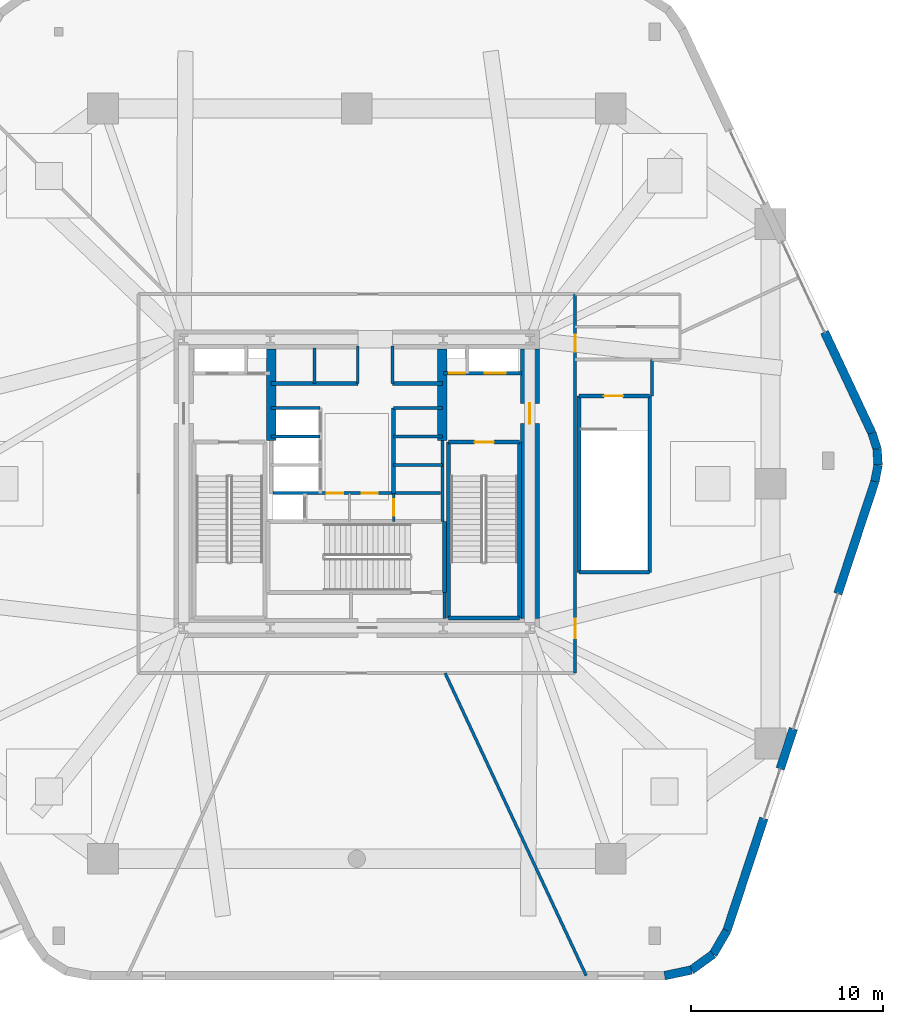
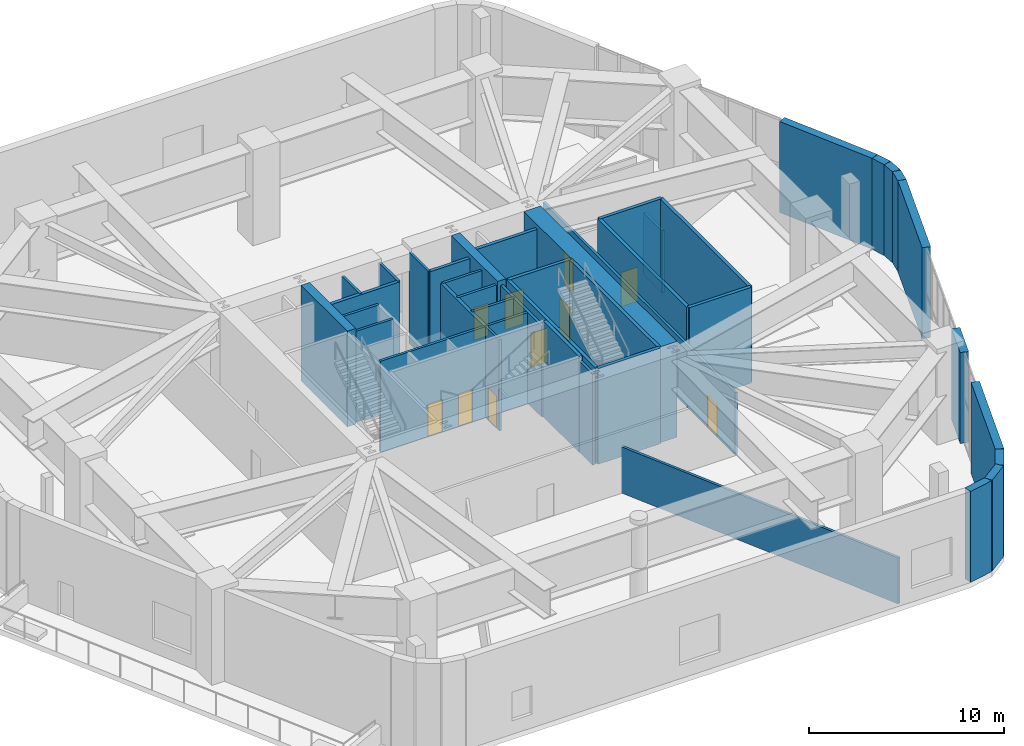
# One storey, part 9 of 14: 41 walls, 10 doors, 10 openings.
"""IFC4 building model written with IfcOpenShell, lengths in metres."""

from ifc_helpers import new_model, si_unit, direction, frame, frame_2d, origin, place, context, subcontext, project, spatial, rectangle, extrude, material, layer, layer_set, type_object, element, fill, save


model = new_model("IFC4")

# Units and contexts
model_context = context("Model", 3, precision=1e-05, world=origin(), true_north=direction((0.0, 1.0)))
body_context = subcontext(model_context, "Body", "Model", "MODEL_VIEW")
ifc_project = project(units=[si_unit("LENGTHUNIT", "METRE"), si_unit("AREAUNIT", "SQUARE_METRE"), si_unit("VOLUMEUNIT", "CUBIC_METRE"), si_unit("PLANEANGLEUNIT", "RADIAN"), si_unit("MASSUNIT", "GRAM", prefix="KILO")], contexts=[model_context])

# Site, building, storey
site_placement = place(None, origin())
site = spatial("IfcSite", under=ifc_project, at=site_placement, CompositionType="ELEMENT")
building_placement = place(site_placement, origin())
building = spatial("IfcBuilding", under=site, at=building_placement, Name="Kilnhurst Terrace Hotel", CompositionType="ELEMENT")
storey_placement = place(building_placement, frame((0.0, 0.0, 28.199951171875)))
storey = spatial("IfcBuildingStorey", under=building, at=storey_placement, Name="L05", CompositionType="ELEMENT", Elevation=28.199951171875)

# Walls
ifc_material_1 = material(Name="Precast concrete C40/50", Category="concrete")
ifc_layer_1 = layer(ifc_material_1, 0.449951171875, Name="Precast concrete C40/50")
ifc_layer_set_1 = layer_set([ifc_layer_1], Name="Precast concrete C40/50")
wall_type_1 = type_object("IfcWallType", Name="WL-BRK-450", PredefinedType="SOLIDWALL", material=ifc_layer_set_1)
wall_1_placement = place(storey_placement, frame((16.002197265625, -25.574951171875, 0.0), z_axis=(0.0, 0.0, 1.0), x_axis=(0.978297489829, 0.207205263915, 0.0)))
element("IfcWall", 1, at=wall_1_placement, inside=storey, type_object=wall_type_1, Name="L05 Rounded Corner Brick Wall C2.1", PredefinedType="SOLIDWALL", context=body_context, shape_type="SweptSolid", body=[
    extrude(rectangle(XDim=1.4208984375, YDim=0.449951171875, at=frame_2d((0.71044921875, 0.0))), origin(), (0.0, 0.0, 1.0), 5.699951171875),
])
wall_2_placement = place(storey_placement, frame((17.392333984375, -25.280517578125, 0.0), z_axis=(0.0, 0.0, 1.0), x_axis=(0.810222644551, 0.586122228086, 0.0)))
element("IfcWall", 2, at=wall_2_placement, inside=storey, type_object=wall_type_1, Name="L05 Rounded Corner Brick Wall C2.2", PredefinedType="SOLIDWALL", context=body_context, shape_type="SweptSolid", body=[
    extrude(rectangle(XDim=1.396728515625, YDim=0.449951171875, at=frame_2d((0.6982421875, 0.0))), origin(), (0.0, 0.0, 1.0), 5.699951171875),
])
wall_3_placement = place(storey_placement, frame((18.52392578125, -24.4619140625, 0.0), z_axis=(0.0, 0.0, 1.0), x_axis=(0.503080278093, 0.864239685385, 0.0)))
element("IfcWall", 3, at=wall_3_placement, inside=storey, type_object=wall_type_1, Name="L05 Rounded Corner Brick Wall C2.3", PredefinedType="SOLIDWALL", context=body_context, shape_type="SweptSolid", body=[
    extrude(rectangle(XDim=1.4208984375, YDim=0.449951171875, at=frame_2d((0.71044921875, 0.0))), origin(), (0.0, 0.0, 1.0), 5.699951171875),
])
wall_4_placement = place(storey_placement, frame((26.93359375, 0.115234375, 0.0), z_axis=(0.0, 0.0, 1.0), x_axis=(0.190786440539, 0.981631567395, 0.0)))
element("IfcWall", 4, at=wall_4_placement, inside=storey, type_object=wall_type_1, Name="L05 Rounded Corner Brick Wall C3.1", PredefinedType="SOLIDWALL", context=body_context, shape_type="SweptSolid", body=[
    extrude(rectangle(XDim=0.86376953125, YDim=0.449951171875, at=frame_2d((0.431884765625, 0.0))), origin(), (0.0, 0.0, 1.0), 5.699951171875),
])
wall_5_placement = place(storey_placement, frame((27.098388671875, 0.963134765625, 0.0), z_axis=(0.0, 0.0, 1.0), x_axis=(-0.060356219213, 0.998176901557, 0.0)))
element("IfcWall", 5, at=wall_5_placement, inside=storey, type_object=wall_type_1, Name="L05 Rounded Corner Brick Wall C3.2", PredefinedType="SOLIDWALL", context=body_context, shape_type="SweptSolid", body=[
    extrude(rectangle(XDim=0.849365234375, YDim=0.449951171875, at=frame_2d((0.4248046875, 0.0))), origin(), (0.0, 0.0, 1.0), 5.699951171875),
])
wall_6_placement = place(storey_placement, frame((27.047119140625, 1.81103515625, 0.0), z_axis=(0.0, 0.0, 1.0), x_axis=(-0.307993314005, 0.951388521335, 0.0)))
element("IfcWall", 6, at=wall_6_placement, inside=storey, type_object=wall_type_1, Name="L05 Rounded Corner Brick Wall C3.3", PredefinedType="SOLIDWALL", context=body_context, shape_type="SweptSolid", body=[
    extrude(rectangle(XDim=0.864013671875, YDim=0.449951171875, at=frame_2d((0.43212890625, 0.0))), origin(), (0.0, 0.0, 1.0), 5.699951171875),
])
wall_7_placement = place(storey_placement, frame((19.23876953125, -23.23388671875, 0.0), z_axis=(0.0, 0.0, 1.0), x_axis=(0.312984451481, 0.949758249836, 0.0)))
element("IfcWall", 7, at=wall_7_placement, inside=storey, type_object=wall_type_1, Name="L05 Face 2 Brick Pier 1", PredefinedType="SOLIDWALL", context=body_context, shape_type="SweptSolid", body=[
    extrude(rectangle(XDim=6.14599609375, YDim=0.449951171875, at=frame_2d((3.072998046875, 0.0))), origin(), (0.0, 0.0, 1.0), 5.699951171875),
])
wall_8_placement = place(storey_placement, frame((22.009765625, -14.82568359375, 0.0), z_axis=(0.0, 0.0, 1.0), x_axis=(0.312963089043, 0.949765289372, 0.0)))
element("IfcWall", 8, at=wall_8_placement, inside=storey, type_object=wall_type_1, Name="L05 Face 2 Brick Pier 2", PredefinedType="SOLIDWALL", context=body_context, shape_type="SweptSolid", body=[
    extrude(rectangle(XDim=2.199951171875, YDim=0.449951171875, at=frame_2d((1.10009765625, 0.0))), origin(), (0.0, 0.0, 1.0), 5.699951171875),
])
wall_9_placement = place(storey_placement, frame((25.009765625, -5.722412109375, 0.0), z_axis=(0.0, 0.0, 1.0), x_axis=(0.312996666333, 0.949754224452, 0.0)))
element("IfcWall", 9, at=wall_9_placement, inside=storey, type_object=wall_type_1, Name="L05 Face 2 End Brick Pier", PredefinedType="SOLIDWALL", context=body_context, shape_type="SweptSolid", body=[
    extrude(rectangle(XDim=6.146484375, YDim=0.449951171875, at=frame_2d((3.0732421875, 0.0))), origin(), (0.0, 0.0, 1.0), 5.699951171875),
])
wall_10_placement = place(storey_placement, frame((26.781005859375, 2.633056640625, 0.0), z_axis=(0.0, 0.0, 1.0), x_axis=(-0.425192418488, 0.905102981578, 0.0)))
element("IfcWall", 10, at=wall_10_placement, inside=storey, type_object=wall_type_1, Name="L05 Face 3 Brick Pier 1", PredefinedType="SOLIDWALL", context=body_context, shape_type="SweptSolid", body=[
    extrude(rectangle(XDim=5.7958984375, YDim=0.449951171875, at=frame_2d((2.89794921875, 0.0))), origin(), (0.0, 0.0, 1.0), 5.699951171875),
])

# Wall, openings, doors
ifc_material_2 = material(Name="Acoustic Double-Gypsum Corridor Partition Assembly")
ifc_layer_2 = layer(ifc_material_2, 0.14990234375, Name="Acoustic Double-Gypsum Corridor Partition Assembly")
ifc_layer_set_2 = layer_set([ifc_layer_2], Name="Acoustic Double-Gypsum Corridor Partition Assembly")
wall_type_2 = type_object("IfcWallType", Name="WL-COR-150", PredefinedType="PARTITIONING", material=ifc_layer_set_2)
wall_11_placement = place(storey_placement, frame((11.35009765625, 9.85009765625, 0.0), z_axis=(0.0, 0.0, 1.0), x_axis=(0.0, -1.0, 0.0)))
wall_11 = element("IfcWall", 11, at=wall_11_placement, inside=storey, type_object=wall_type_2, Name="L05 Interior Wall WL-L05-COR-03", PredefinedType="PARTITIONING", context=body_context, shape_type="SweptSolid", body=[
    extrude(rectangle(XDim=19.7001953125, YDim=0.14990234375, at=frame_2d((9.85009765625, 0.0))), origin(), (0.0, 0.0, 1.0), 3.89013671875),
])
opening_1_placement = place(wall_11_placement, frame((2.10009765625, 0.0, 0.0)))
opening_1 = element("IfcOpeningElement", 12, at=opening_1_placement, cuts=wall_11, Name="Opening D-09B", PredefinedType="OPENING", context=body_context, shape_type="SweptSolid", body=[
    extrude(rectangle(XDim=0.89990234375, YDim=2.030029296875, at=frame_2d((0.449951171875, 1.01513671875))), frame((0.0, 0.0849609375, 0.0), z_axis=(0.0, -1.0, 0.0), x_axis=(1.0, 0.0, 0.0)), (0.0, 0.0, 1.0), 0.169921875),
])
opening_2_placement = place(wall_11_placement, frame((16.875, 0.0, 0.0)))
opening_2 = element("IfcOpeningElement", 13, at=opening_2_placement, cuts=wall_11, Name="Opening D-10A", PredefinedType="OPENING", context=body_context, shape_type="SweptSolid", body=[
    extrude(rectangle(XDim=1.0, YDim=2.030029296875, at=frame_2d((0.5, 1.01513671875))), frame((0.0, 0.0849609375, 0.0), z_axis=(0.0, -1.0, 0.0), x_axis=(1.0, 0.0, 0.0)), (0.0, 0.0, 1.0), 0.169921875),
])
ifc_material_3 = material(Name="Solid-Core American White Oak Interior Door")
door_type_1 = type_object("IfcDoorType", Name="DR-INT-1000", OperationType="NOTDEFINED", PredefinedType="DOOR", material=ifc_material_3)
door_1_placement = place(opening_2_placement, origin())
door_1 = element("IfcDoor", 14, at=door_1_placement, inside=storey, type_object=door_type_1, Name="L05 Botanical Conservatory Reading Library Door", OperationType="SINGLE_SWING_RIGHT", OverallHeight=2.030029296875, OverallWidth=1.0, PredefinedType="DOOR", context=body_context, shape_type="SweptSolid", body=[
    extrude(rectangle(XDim=1.0, YDim=2.030029296875, at=frame_2d((0.5, 1.01513671875))), frame((0.0, 0.02490234375, 0.0), z_axis=(0.0, -1.0, 0.0), x_axis=(1.0, 0.0, 0.0)), (0.0, 0.0, 1.0), 0.050048828125),
])
fill(opening_2, door_1)
ifc_material_4 = material(Name="Moisture-Resistant Solid-Core Restroom Door")
door_type_2 = type_object("IfcDoorType", Name="DR-INT-900", OperationType="NOTDEFINED", PredefinedType="DOOR", material=ifc_material_4)
door_2_placement = place(opening_1_placement, origin())
door_2 = element("IfcDoor", 15, at=door_2_placement, inside=storey, type_object=door_type_2, Name="L05 Public Restrooms Door", OperationType="SINGLE_SWING_LEFT", OverallHeight=2.030029296875, OverallWidth=0.89990234375, PredefinedType="DOOR", context=body_context, shape_type="SweptSolid", body=[
    extrude(rectangle(XDim=0.89990234375, YDim=2.030029296875, at=frame_2d((0.449951171875, 1.01513671875))), frame((0.0, 0.02490234375, 0.0), z_axis=(0.0, -1.0, 0.0), x_axis=(1.0, 0.0, 0.0)), (0.0, 0.0, 1.0), 0.050048828125),
])
fill(opening_1, door_2)

# Wall
wall_12_placement = place(storey_placement, frame((15.35009765625, 4.55810546875, 0.0), z_axis=(0.0, 0.0, 1.0), x_axis=(0.0, 1.0, 0.0)))
element("IfcWall", 16, at=wall_12_placement, inside=storey, type_object=wall_type_2, Name="L05 Interior Wall WL-L05-ST4-VEST-E", PredefinedType="PARTITIONING", context=body_context, shape_type="SweptSolid", body=[
    extrude(rectangle(XDim=1.891845703125, YDim=0.14990234375, at=frame_2d((0.94580078125, 0.0))), origin(), (0.0, 0.0, 1.0), 3.89013671875),
])

# Wall, opening, door
ifc_material_5 = material(Name="Concrete C80/95", Category="concrete")
ifc_layer_3 = layer(ifc_material_5, 1.0, Name="Concrete C80/95")
ifc_layer_set_3 = layer_set([ifc_layer_3], Name="Concrete C80/95")
wall_type_3 = type_object("IfcWallType", Name="WL-CORE-1000", PredefinedType="SHEAR", material=ifc_layer_set_3)
wall_13_placement = place(storey_placement, frame((9.0, -7.0, 0.0), z_axis=(0.0, 0.0, 1.0), x_axis=(0.0, 1.0, 0.0)))
wall_13 = element("IfcWall", 17, at=wall_13_placement, inside=storey, type_object=wall_type_3, Name="L05 Core East Shear Wall", PredefinedType="SHEAR", context=body_context, shape_type="SweptSolid", body=[
    extrude(rectangle(XDim=14.0, YDim=1.0, at=frame_2d((7.0, 0.0))), origin(), (0.0, 0.0, 1.0), 6.0),
])
opening_3_placement = place(wall_13_placement, frame((10.125, 0.0, 0.0)))
opening_3 = element("IfcOpeningElement", 18, at=opening_3_placement, cuts=wall_13, Name="Opening D-90A", PredefinedType="OPENING", context=body_context, shape_type="SweptSolid", body=[
    extrude(rectangle(XDim=1.050048828125, YDim=2.14990234375, at=frame_2d((0.52490234375, 1.074951171875))), frame((0.0, 0.510009765625, 0.0), z_axis=(0.0, -1.0, 0.0), x_axis=(1.0, 0.0, 0.0)), (0.0, 0.0, 1.0), 1.02001953125),
])
ifc_material_6 = material(Name="Painted Hollow Metal Steel ASTM A36 Fire Door", Category="steel")
door_type_3 = type_object("IfcDoorType", Name="DR-FD90-1050", OperationType="NOTDEFINED", PredefinedType="DOOR", material=ifc_material_6)
door_3_placement = place(opening_3_placement, origin())
door_3 = element("IfcDoor", 19, at=door_3_placement, inside=storey, type_object=door_type_3, Name="L05 East Firefighting Lobby Door", OperationType="SINGLE_SWING_LEFT", OverallHeight=2.14990234375, OverallWidth=1.050048828125, PredefinedType="DOOR", context=body_context, shape_type="SweptSolid", body=[
    extrude(rectangle(XDim=1.050048828125, YDim=2.14990234375, at=frame_2d((0.52490234375, 1.074951171875))), frame((0.0, 0.02490234375, 0.0), z_axis=(0.0, -1.0, 0.0), x_axis=(1.0, 0.0, 0.0)), (0.0, 0.0, 1.0), 0.050048828125),
])
fill(opening_3, door_3)

# Walls
ifc_material_7 = material(Name="Concrete C60/75", Category="concrete")
ifc_layer_4 = layer(ifc_material_7, 0.5, Name="Concrete C60/75")
ifc_layer_set_4 = layer_set([ifc_layer_4], Name="Concrete C60/75")
wall_type_4 = type_object("IfcWallType", Name="WL-CORE-WEB-500", PredefinedType="SHEAR", material=ifc_layer_set_4)
for number, where, z_axis, x_axis, name in (
    (20, (-4.449951171875, 2.25, 0.0), (0.0, 0.0, 1.0), (0.0, 1.0, 0.0), "L05 Core Internal West Shear Web"),
    (21, (4.449951171875, 2.25, 0.0), (0.0, 0.0, 1.0), (0.0, 1.0, 0.0), "L05 Core Internal East Shear Web"),
):
    element("IfcWall", number, at=place(storey_placement, frame(where, z_axis=z_axis, x_axis=x_axis)), inside=storey, type_object=wall_type_4, Name=name, PredefinedType="SHEAR", context=body_context, shape_type="SweptSolid", body=[
        extrude(rectangle(XDim=4.75, YDim=0.5, at=frame_2d((2.375, 0.0))), origin(), (0.0, 0.0, 1.0), 6.0),
    ])

# Wall, opening, door
ifc_material_8 = material(Name="120 mm Moisture-Resistant Tile-Backed Bathroom Partition")
ifc_layer_5 = layer(ifc_material_8, 0.1201171875, Name="120 mm Moisture-Resistant Tile-Backed Bathroom Partition")
ifc_layer_set_5 = layer_set([ifc_layer_5], Name="120 mm Moisture-Resistant Tile-Backed Bathroom Partition")
wall_type_5 = type_object("IfcWallType", Name="WL-PART-120", PredefinedType="PARTITIONING", material=ifc_layer_set_5)
wall_14_placement = place(storey_placement, frame((1.919921875, -1.971923828125, 0.0), z_axis=(0.0, 0.0, 1.0), x_axis=(0.0, 1.0, 0.0)))
wall_14 = element("IfcWall", 22, at=wall_14_placement, inside=storey, type_object=wall_type_5, Name="L05 Interior Wall WL-L05-BOH-C2", PredefinedType="PARTITIONING", context=body_context, shape_type="SweptSolid", body=[
    extrude(rectangle(XDim=1.471923828125, YDim=0.1201171875, at=frame_2d((0.73583984375, 0.0))), origin(), (0.0, 0.0, 1.0), 5.699951171875),
])
opening_4_placement = place(wall_14_placement, frame((0.300048828125, 0.0, 0.0)))
opening_4 = element("IfcOpeningElement", 23, at=opening_4_placement, cuts=wall_14, Name="Opening D-08A", PredefinedType="OPENING", context=body_context, shape_type="SweptSolid", body=[
    extrude(rectangle(XDim=0.85009765625, YDim=2.030029296875, at=frame_2d((0.425048828125, 1.01513671875))), frame((0.0, 0.070068359375, 0.0), z_axis=(0.0, -1.0, 0.0), x_axis=(1.0, 0.0, 0.0)), (0.0, 0.0, 1.0), 0.14013671875),
])
ifc_material_9 = material(Name="Moisture-Resistant Lacquered En-suite Bathroom Door")
door_type_4 = type_object("IfcDoorType", Name="DR-INT-850", OperationType="NOTDEFINED", PredefinedType="DOOR", material=ifc_material_9)
door_4_placement = place(opening_4_placement, origin())
door_4 = element("IfcDoor", 24, at=door_4_placement, inside=storey, type_object=door_type_4, Name="L05 Staff Restroom Door", OperationType="SINGLE_SWING_RIGHT", OverallHeight=2.030029296875, OverallWidth=0.85009765625, PredefinedType="DOOR", context=body_context, shape_type="SweptSolid", body=[
    extrude(rectangle(XDim=0.85009765625, YDim=2.030029296875, at=frame_2d((0.425048828125, 1.01513671875))), frame((0.0, 0.02490234375, 0.0), z_axis=(0.0, -1.0, 0.0), x_axis=(1.0, 0.0, 0.0)), (0.0, 0.0, 1.0), 0.050048828125),
])
fill(opening_4, door_4)

# Walls
ifc_material_10 = material(Name="150 mm Acoustic Gypsum Hospitality Partition")
ifc_layer_6 = layer(ifc_material_10, 0.14990234375, Name="150 mm Acoustic Gypsum Hospitality Partition")
ifc_layer_set_6 = layer_set([ifc_layer_6], Name="150 mm Acoustic Gypsum Hospitality Partition")
wall_type_6 = type_object("IfcWallType", Name="WL-PART-150", PredefinedType="PARTITIONING", material=ifc_layer_set_6)
wall_15_placement = place(storey_placement, frame((4.593017578125, -9.85009765625, 0.0), z_axis=(0.0, 0.0, 1.0), x_axis=(0.422625081422, -0.906304606936, 0.0)))
element("IfcWall", 25, at=wall_15_placement, inside=storey, type_object=wall_type_6, Name="L05 Interior Wall WL-L05-PDIV-2-1", PredefinedType="PARTITIONING", context=body_context, shape_type="SweptSolid", body=[
    extrude(rectangle(XDim=17.3505859375, YDim=0.14990234375, at=frame_2d((8.67529296875, 0.0))), origin(), (0.0, 0.0, 1.0), 2.89013671875),
])
ifc_material_11 = material(Name="Fire-Rated Gypsum Shaftliner Assembly")
ifc_layer_7 = layer(ifc_material_11, 0.14990234375, Name="Fire-Rated Gypsum Shaftliner Assembly")
ifc_layer_set_7 = layer_set([ifc_layer_7], Name="Fire-Rated Gypsum Shaftliner Assembly")
wall_type_7 = type_object("IfcWallType", Name="WL-SHAFT-150", PredefinedType="PARTITIONING", material=ifc_layer_set_7)
wall_16_placement = place(storey_placement, frame((4.55810546875, -7.02001953125, 0.0), z_axis=(0.0, 0.0, 1.0), x_axis=(0.0, 1.0, 0.0)))
element("IfcWall", 26, at=wall_16_placement, inside=storey, type_object=wall_type_7, Name="L05 Interior Wall WL-L05-ST3-PSGE", PredefinedType="PARTITIONING", context=body_context, shape_type="SweptSolid", body=[
    extrude(rectangle(XDim=1.362060546875, YDim=0.14990234375, at=frame_2d((0.68115234375, 0.0))), origin(), (0.0, 0.0, 1.0), 5.699951171875),
])
wall_17_placement = place(storey_placement, frame((-2.199951171875, 5.199951171875, 0.0), z_axis=(0.0, 0.0, 1.0), x_axis=(0.0, 1.0, 0.0)))
element("IfcWall", 27, at=wall_17_placement, inside=storey, type_object=wall_type_7, Name="L05 Interior Wall WL-L05-HR-DIV1", PredefinedType="PARTITIONING", context=body_context, shape_type="SweptSolid", body=[
    extrude(rectangle(XDim=1.85009765625, YDim=0.14990234375, at=frame_2d((0.925048828125, 0.0))), origin(), (0.0, 0.0, 1.0), 5.699951171875),
])
for number, where, z_axis, x_axis, name in (
    (28, (0.050048828125, 5.199951171875, 0.0), (0.0, 0.0, 1.0), (0.0, 1.0, 0.0), "L05 Interior Wall WL-L05-HR-PORTAL-W"),
    (29, (1.85009765625, 5.199951171875, 0.0), (0.0, 0.0, 1.0), (0.0, 1.0, 0.0), "L05 Interior Wall WL-L05-HR-PORTAL-E"),
):
    element("IfcWall", number, at=place(storey_placement, frame(where, z_axis=z_axis, x_axis=x_axis)), inside=storey, type_object=wall_type_7, Name=name, PredefinedType="PARTITIONING", context=body_context, shape_type="SweptSolid", body=[
        extrude(rectangle(XDim=1.949951171875, YDim=0.14990234375, at=frame_2d((0.97509765625, 0.0))), origin(), (0.0, 0.0, 1.0), 5.699951171875),
    ])
wall_18_placement = place(storey_placement, frame((4.449951171875, -1.971923828125, 0.0), z_axis=(0.0, 0.0, 1.0), x_axis=(0.0, 1.0, 0.0)))
element("IfcWall", 30, at=wall_18_placement, inside=storey, type_object=wall_type_7, Name="L05 Interior Wall WL-L05-XLOB-E", PredefinedType="PARTITIONING", context=body_context, shape_type="SweptSolid", body=[
    extrude(rectangle(XDim=4.221923828125, YDim=0.14990234375, at=frame_2d((2.11083984375, 0.0))), origin(), (0.0, 0.0, 1.0), 5.699951171875),
])
for number, where, z_axis, x_axis, name in (
    (31, (-4.449951171875, 3.93994140625, 0.0), (0.0, 0.0, 1.0), (1.0, 0.0, 0.0), "L05 Interior Wall WL-L05-LR-NORTH"),
    (32, (-4.449951171875, 2.4599609375, 0.0), (0.0, 0.0, 1.0), (1.0, 0.0, 0.0), "L05 Interior Wall WL-L05-LR-D2"),
    (33, (1.89990234375, 3.93994140625, 0.0), (0.0, 0.0, 1.0), (1.0, 0.0, 0.0), "L05 Interior Wall WL-L05-MR-NORTH"),
    (34, (1.89990234375, 0.97998046875, 0.0), (0.0, 0.0, 1.0), (1.0, 0.0, 0.0), "L05 Interior Wall WL-L05-MR-D1"),
    (35, (1.89990234375, 2.4599609375, 0.0), (0.0, 0.0, 1.0), (1.0, 0.0, 0.0), "L05 Interior Wall WL-L05-MR-D2"),
):
    element("IfcWall", number, at=place(storey_placement, frame(where, z_axis=z_axis, x_axis=x_axis)), inside=storey, type_object=wall_type_7, Name=name, PredefinedType="PARTITIONING", context=body_context, shape_type="SweptSolid", body=[
        extrude(rectangle(XDim=2.550048828125, YDim=0.14990234375, at=frame_2d((1.27490234375, 0.0))), origin(), (0.0, 0.0, 1.0), 5.699951171875),
    ])

# Wall, openings, doors
wall_19_placement = place(storey_placement, frame((-4.360107421875, -0.489990234375, 0.0), z_axis=(0.0, 0.0, 1.0), x_axis=(1.0, 0.0, 0.0)))
wall_19 = element("IfcWall", 36, at=wall_19_placement, inside=storey, type_object=wall_type_7, Name="L05 Interior Wall WL-L05-BOH-N", PredefinedType="PARTITIONING", context=body_context, shape_type="SweptSolid", body=[
    extrude(rectangle(XDim=8.72021484375, YDim=0.14990234375, at=frame_2d((4.360107421875, 0.0))), origin(), (0.0, 0.0, 1.0), 5.699951171875),
])
opening_5_placement = place(wall_19_placement, frame((2.81005859375, 0.0, 0.0)))
opening_5 = element("IfcOpeningElement", 37, at=opening_5_placement, cuts=wall_19, Name="Opening D-60D", PredefinedType="OPENING", context=body_context, shape_type="SweptSolid", body=[
    extrude(rectangle(XDim=0.85009765625, YDim=2.030029296875, at=frame_2d((0.425048828125, 1.01513671875))), frame((0.0, 0.0849609375, 0.0), z_axis=(0.0, -1.0, 0.0), x_axis=(1.0, 0.0, 0.0)), (0.0, 0.0, 1.0), 0.169921875),
])
opening_6_placement = place(wall_19_placement, frame((4.610107421875, 0.0, 0.0)))
opening_6 = element("IfcOpeningElement", 38, at=opening_6_placement, cuts=wall_19, Name="Opening D-60D", PredefinedType="OPENING", context=body_context, shape_type="SweptSolid", body=[
    extrude(rectangle(XDim=0.85009765625, YDim=2.030029296875, at=frame_2d((0.425048828125, 1.01513671875))), frame((0.0, 0.0849609375, 0.0), z_axis=(0.0, -1.0, 0.0), x_axis=(1.0, 0.0, 0.0)), (0.0, 0.0, 1.0), 0.169921875),
])
ifc_material_12 = material(Name="Painted Hollow Metal Steel ASTM A36 Riser Door", Category="steel")
door_type_5 = type_object("IfcDoorType", Name="DR-FD60-850", OperationType="NOTDEFINED", PredefinedType="DOOR", material=ifc_material_12)
door_5_placement = place(opening_5_placement, origin())
door_5 = element("IfcDoor", 39, at=door_5_placement, inside=storey, type_object=door_type_5, Name="L05 Housekeeping Station Door", OperationType="SINGLE_SWING_LEFT", OverallHeight=2.030029296875, OverallWidth=0.85009765625, PredefinedType="DOOR", context=body_context, shape_type="SweptSolid", body=[
    extrude(rectangle(XDim=0.85009765625, YDim=2.030029296875, at=frame_2d((0.425048828125, 1.01513671875))), frame((0.0, 0.02490234375, 0.0), z_axis=(0.0, -1.0, 0.0), x_axis=(1.0, 0.0, 0.0)), (0.0, 0.0, 1.0), 0.050048828125),
])
fill(opening_5, door_5)
door_6_placement = place(opening_6_placement, origin())
door_6 = element("IfcDoor", 40, at=door_6_placement, inside=storey, type_object=door_type_5, Name="L05 Beverage Pantry Door", OperationType="SINGLE_SWING_RIGHT", OverallHeight=2.030029296875, OverallWidth=0.85009765625, PredefinedType="DOOR", context=body_context, shape_type="SweptSolid", body=[
    extrude(rectangle(XDim=0.85009765625, YDim=2.030029296875, at=frame_2d((0.425048828125, 1.01513671875))), frame((0.0, 0.02490234375, 0.0), z_axis=(0.0, -1.0, 0.0), x_axis=(1.0, 0.0, 0.0)), (0.0, 0.0, 1.0), 0.050048828125),
])
fill(opening_6, door_6)

ifc_material_13 = material(Name="Autoclaved Aerated Concrete C30/37 and Gypsum Shaft Assembly", Category="concrete")
ifc_layer_8 = layer(ifc_material_13, 0.199951171875, Name="Autoclaved Aerated Concrete C30/37 and Gypsum Shaft Assembly")
ifc_layer_set_8 = layer_set([ifc_layer_8], Name="Autoclaved Aerated Concrete C30/37 and Gypsum Shaft Assembly")
wall_type_8 = type_object("IfcWallType", Name="WL-SHAFT-200", PredefinedType="PARTITIONING", material=ifc_layer_set_8)
wall_20_placement = place(storey_placement, frame((4.5, 5.739990234375, 0.0), z_axis=(0.0, 0.0, 1.0), x_axis=(1.0, 0.0, 0.0)))
wall_20 = element("IfcWall", 41, at=wall_20_placement, inside=storey, type_object=wall_type_8, Name="L05 Interior Wall WL-L05-FSAE2-S", PredefinedType="PARTITIONING", context=body_context, shape_type="SweptSolid", body=[
    extrude(rectangle(XDim=4.050048828125, YDim=0.199951171875, at=frame_2d((2.02490234375, 0.0))), origin(), (0.0, 0.0, 1.0), 5.699951171875),
])
opening_7_placement = place(wall_20_placement, frame((0.300048828125, 0.0, 0.0)))
opening_7 = element("IfcOpeningElement", 42, at=opening_7_placement, cuts=wall_20, Name="Opening D-60D", PredefinedType="OPENING", context=body_context, shape_type="SweptSolid", body=[
    extrude(rectangle(XDim=0.85009765625, YDim=2.030029296875, at=frame_2d((0.425048828125, 1.01513671875))), frame((0.0, 0.10986328125, 0.0), z_axis=(0.0, -1.0, 0.0), x_axis=(1.0, 0.0, 0.0)), (0.0, 0.0, 1.0), 0.219970703125),
])
opening_8_placement = place(wall_20_placement, frame((2.14990234375, 0.0, 0.0)))
opening_8 = element("IfcOpeningElement", 43, at=opening_8_placement, cuts=wall_20, Name="Opening LD-F2", PredefinedType="OPENING", context=body_context, shape_type="SweptSolid", body=[
    extrude(rectangle(XDim=1.10009765625, YDim=2.199951171875, at=frame_2d((0.550048828125, 1.10009765625))), frame((0.0, 0.10986328125, 0.0), z_axis=(0.0, -1.0, 0.0), x_axis=(1.0, 0.0, 0.0)), (0.0, 0.0, 1.0), 0.219970703125),
])
door_7_placement = place(opening_7_placement, origin())
door_7 = element("IfcDoor", 44, at=door_7_placement, inside=storey, type_object=door_type_5, Name="L05 Telecom Riser Door", OperationType="SINGLE_SWING_RIGHT", OverallHeight=2.030029296875, OverallWidth=0.85009765625, PredefinedType="DOOR", context=body_context, shape_type="SweptSolid", body=[
    extrude(rectangle(XDim=0.85009765625, YDim=2.030029296875, at=frame_2d((0.425048828125, 1.01513671875))), frame((0.0, 0.02490234375, 0.0), z_axis=(0.0, -1.0, 0.0), x_axis=(1.0, 0.0, 0.0)), (0.0, 0.0, 1.0), 0.050048828125),
])
fill(opening_7, door_7)
ifc_material_14 = material(Name="Bronze-Anodized Stainless Steel AISI 316L Sliding Door", Category="steel")
door_type_6 = type_object("IfcDoorType", Name="DR-LIFT-1100", OperationType="NOTDEFINED", PredefinedType="DOOR", material=ifc_material_14)
door_8_placement = place(opening_8_placement, origin())
door_8 = element("IfcDoor", 45, at=door_8_placement, inside=storey, type_object=door_type_6, Name="L05 FSAE-2 Landing Door", OperationType="SLIDING_TO_RIGHT", OverallHeight=2.199951171875, OverallWidth=1.10009765625, PredefinedType="DOOR", context=body_context, shape_type="SweptSolid", body=[
    extrude(rectangle(XDim=1.10009765625, YDim=2.199951171875, at=frame_2d((0.550048828125, 1.10009765625))), frame((0.0, 0.02490234375, 0.0), z_axis=(0.0, -1.0, 0.0), x_axis=(1.0, 0.0, 0.0)), (0.0, 0.0, 1.0), 0.050048828125),
])
fill(opening_8, door_8)

# Walls
wall_21_placement = place(storey_placement, frame((-4.449951171875, 5.199951171875, 0.0), z_axis=(0.0, 0.0, 1.0), x_axis=(1.0, 0.0, 0.0)))
element("IfcWall", 46, at=wall_21_placement, inside=storey, type_object=wall_type_8, Name="L05 Interior Wall WL-L05-HR-SW", PredefinedType="PARTITIONING", context=body_context, shape_type="SweptSolid", body=[
    extrude(rectangle(XDim=4.5, YDim=0.199951171875, at=frame_2d((2.25, 0.0))), origin(), (0.0, 0.0, 1.0), 5.699951171875),
])
wall_22_placement = place(storey_placement, frame((1.85009765625, 5.199951171875, 0.0), z_axis=(0.0, 0.0, 1.0), x_axis=(1.0, 0.0, 0.0)))
element("IfcWall", 47, at=wall_22_placement, inside=storey, type_object=wall_type_8, Name="L05 Interior Wall WL-L05-HR-SE", PredefinedType="PARTITIONING", context=body_context, shape_type="SweptSolid", body=[
    extrude(rectangle(XDim=2.599853515625, YDim=0.199951171875, at=frame_2d((1.2998046875, 0.0))), origin(), (0.0, 0.0, 1.0), 5.699951171875),
])
wall_23_placement = place(storey_placement, frame((1.89990234375, -0.5, 0.0), z_axis=(0.0, 0.0, 1.0), x_axis=(0.0, 1.0, 0.0)))
element("IfcWall", 48, at=wall_23_placement, inside=storey, type_object=wall_type_8, Name="L05 Interior Wall WL-L05-MR-FRONT", PredefinedType="PARTITIONING", context=body_context, shape_type="SweptSolid", body=[
    extrude(rectangle(XDim=4.43994140625, YDim=0.199951171875, at=frame_2d((2.219970703125, 0.0))), origin(), (0.0, 0.0, 1.0), 5.699951171875),
])
ifc_material_15 = material(Name="Concrete C50/60", Category="concrete")
ifc_layer_9 = layer(ifc_material_15, 0.199951171875, Name="Concrete C50/60")
ifc_layer_set_9 = layer_set([ifc_layer_9], Name="Concrete C50/60")
wall_type_9 = type_object("IfcWallType", Name="WL-STAIR-RC-200", PredefinedType="SHEAR", material=ifc_layer_set_9)
for number, where, z_axis, x_axis, name in (
    (49, (4.77197265625, -6.985107421875, 0.0), (0.0, 0.0, 1.0), (0.0, 1.0, 0.0), "L05 Structural Stair Shaft Wall WL-L05-ST2-W"),
    (50, (8.4580078125, -6.985107421875, 0.0), (0.0, 0.0, 1.0), (0.0, 1.0, 0.0), "L05 Structural Stair Shaft Wall WL-L05-ST2-E"),
):
    element("IfcWall", number, at=place(storey_placement, frame(where, z_axis=z_axis, x_axis=x_axis)), inside=storey, type_object=wall_type_9, Name=name, PredefinedType="SHEAR", context=body_context, shape_type="SweptSolid", body=[
        extrude(rectangle(XDim=9.14306640625, YDim=0.199951171875, at=frame_2d((4.571533203125, 0.0))), origin(), (0.0, 0.0, 1.0), 6.0),
    ])
wall_24_placement = place(storey_placement, frame((4.77197265625, -6.985107421875, 0.0), z_axis=(0.0, 0.0, 1.0), x_axis=(1.0, 0.0, 0.0)))
element("IfcWall", 51, at=wall_24_placement, inside=storey, type_object=wall_type_9, Name="L05 Structural Stair Shaft Wall WL-L05-ST2-S", PredefinedType="SHEAR", context=body_context, shape_type="SweptSolid", body=[
    extrude(rectangle(XDim=3.68603515625, YDim=0.199951171875, at=frame_2d((1.843017578125, 0.0))), origin(), (0.0, 0.0, 1.0), 6.0),
])

# Wall, opening, door
wall_25_placement = place(storey_placement, frame((4.77197265625, 2.157958984375, 0.0), z_axis=(0.0, 0.0, 1.0), x_axis=(1.0, 0.0, 0.0)))
wall_25 = element("IfcWall", 52, at=wall_25_placement, inside=storey, type_object=wall_type_9, Name="L05 Structural Stair Shaft Wall WL-L05-ST2-N", PredefinedType="SHEAR", context=body_context, shape_type="SweptSolid", body=[
    extrude(rectangle(XDim=3.68603515625, YDim=0.199951171875, at=frame_2d((1.843017578125, 0.0))), origin(), (0.0, 0.0, 1.0), 6.0),
])
opening_9_placement = place(wall_25_placement, frame((1.35009765625, 0.0, 0.0)))
opening_9 = element("IfcOpeningElement", 53, at=opening_9_placement, cuts=wall_25, Name="Opening D-90B", PredefinedType="OPENING", context=body_context, shape_type="SweptSolid", body=[
    extrude(rectangle(XDim=1.0, YDim=2.14990234375, at=frame_2d((0.5, 1.074951171875))), frame((0.0, 0.10986328125, 0.0), z_axis=(0.0, -1.0, 0.0), x_axis=(1.0, 0.0, 0.0)), (0.0, 0.0, 1.0), 0.219970703125),
])
door_type_7 = type_object("IfcDoorType", Name="DR-FD90-1000", OperationType="NOTDEFINED", PredefinedType="DOOR", material=ifc_material_6)
door_9_placement = place(opening_9_placement, origin())
door_9 = element("IfcDoor", 54, at=door_9_placement, inside=storey, type_object=door_type_7, Name="L05 Stair ST-2 Door", OperationType="SINGLE_SWING_RIGHT", OverallHeight=2.14990234375, OverallWidth=1.0, PredefinedType="DOOR", context=body_context, shape_type="SweptSolid", body=[
    extrude(rectangle(XDim=1.0, YDim=2.14990234375, at=frame_2d((0.5, 1.074951171875))), frame((0.0, 0.02490234375, 0.0), z_axis=(0.0, -1.0, 0.0), x_axis=(1.0, 0.0, 0.0)), (0.0, 0.0, 1.0), 0.050048828125),
])
fill(opening_9, door_9)

# Walls
wall_26_placement = place(storey_placement, frame((4.55810546875, -5.657958984375, 0.0), z_axis=(0.0, 0.0, 1.0), x_axis=(0.0, 1.0, 0.0)))
element("IfcWall", 55, at=wall_26_placement, inside=storey, type_object=wall_type_9, Name="L05 Structural Stair Shaft Wall WL-L05-ST3-E", PredefinedType="SHEAR", context=body_context, shape_type="SweptSolid", body=[
    extrude(rectangle(XDim=3.68603515625, YDim=0.199951171875, at=frame_2d((1.843017578125, 0.0))), origin(), (0.0, 0.0, 1.0), 6.0),
])
for number, where, z_axis, x_axis, name in (
    (56, (11.5419921875, -4.60791015625, 0.0), (0.0, 0.0, 1.0), (0.0, 1.0, 0.0), "L05 Podium Stair ST-4 Structural Shaft Wall WL-L05-ST4-W"),
    (57, (15.22802734375, -4.60791015625, 0.0), (0.0, 0.0, 1.0), (0.0, 1.0, 0.0), "L05 Podium Stair ST-4 Structural Shaft Wall WL-L05-ST4-E"),
):
    element("IfcWall", number, at=place(storey_placement, frame(where, z_axis=z_axis, x_axis=x_axis)), inside=storey, type_object=wall_type_9, Name=name, PredefinedType="SHEAR", context=body_context, shape_type="SweptSolid", body=[
        extrude(rectangle(XDim=9.166015625, YDim=0.199951171875, at=frame_2d((4.5830078125, 0.0))), origin(), (0.0, 0.0, 1.0), 6.0),
    ])
wall_27_placement = place(storey_placement, frame((11.5419921875, -4.60791015625, 0.0), z_axis=(0.0, 0.0, 1.0), x_axis=(1.0, 0.0, 0.0)))
element("IfcWall", 58, at=wall_27_placement, inside=storey, type_object=wall_type_9, Name="L05 Podium Stair ST-4 Structural Shaft Wall WL-L05-ST4-S", PredefinedType="SHEAR", context=body_context, shape_type="SweptSolid", body=[
    extrude(rectangle(XDim=3.68603515625, YDim=0.199951171875, at=frame_2d((1.843017578125, 0.0))), origin(), (0.0, 0.0, 1.0), 6.0),
])

# Wall, opening, door
wall_28_placement = place(storey_placement, frame((11.5419921875, 4.55810546875, 0.0), z_axis=(0.0, 0.0, 1.0), x_axis=(1.0, 0.0, 0.0)))
wall_28 = element("IfcWall", 59, at=wall_28_placement, inside=storey, type_object=wall_type_9, Name="L05 Podium Stair ST-4 Structural Shaft Wall WL-L05-ST4-N", PredefinedType="SHEAR", context=body_context, shape_type="SweptSolid", body=[
    extrude(rectangle(XDim=3.68603515625, YDim=0.199951171875, at=frame_2d((1.843017578125, 0.0))), origin(), (0.0, 0.0, 1.0), 6.0),
])
opening_10_placement = place(wall_28_placement, frame((1.300048828125, 0.0, 0.0)))
opening_10 = element("IfcOpeningElement", 60, at=opening_10_placement, cuts=wall_28, Name="Opening D-90B", PredefinedType="OPENING", context=body_context, shape_type="SweptSolid", body=[
    extrude(rectangle(XDim=1.0, YDim=2.14990234375, at=frame_2d((0.5, 1.074951171875))), frame((0.0, 0.10986328125, 0.0), z_axis=(0.0, -1.0, 0.0), x_axis=(1.0, 0.0, 0.0)), (0.0, 0.0, 1.0), 0.219970703125),
])
door_10_placement = place(opening_10_placement, origin())
door_10 = element("IfcDoor", 61, at=door_10_placement, inside=storey, type_object=door_type_7, Name="L05 Stair ST-4 Door", OperationType="SINGLE_SWING_RIGHT", OverallHeight=2.14990234375, OverallWidth=1.0, PredefinedType="DOOR", context=body_context, shape_type="SweptSolid", body=[
    extrude(rectangle(XDim=1.0, YDim=2.14990234375, at=frame_2d((0.5, 1.074951171875))), frame((0.0, 0.02490234375, 0.0), z_axis=(0.0, -1.0, 0.0), x_axis=(1.0, 0.0, 0.0)), (0.0, 0.0, 1.0), 0.050048828125),
])
fill(opening_10, door_10)

save(model, "model.ifc")
